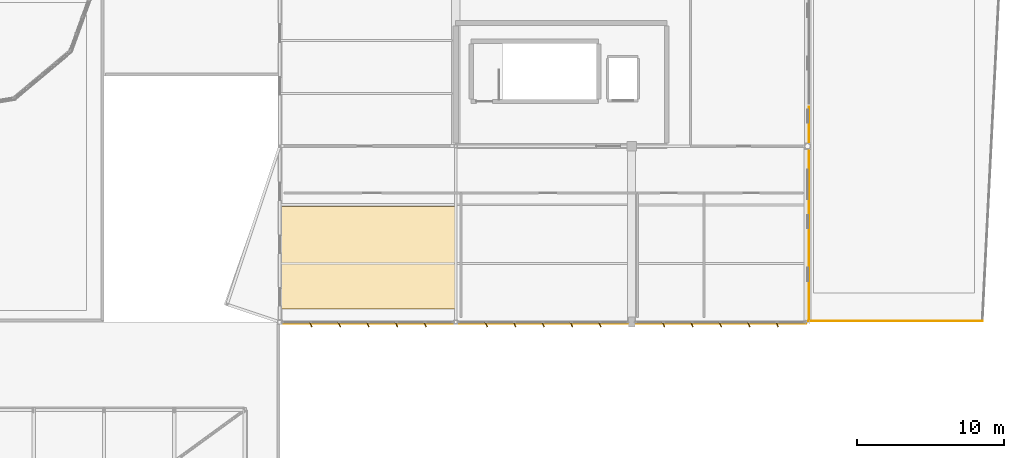
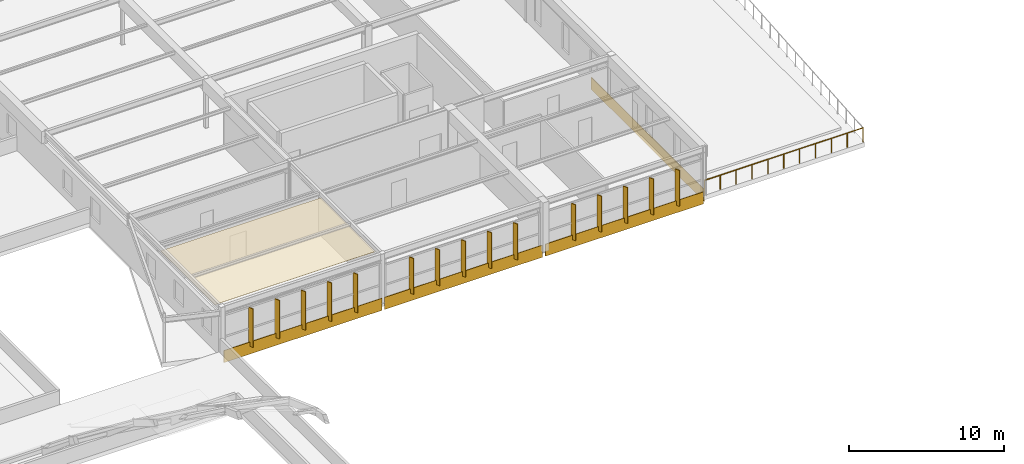
# One storey, part 125 of 128: 15 shading devices, 5 coverings, 1 railing.
"""IFC4 building model written with IfcOpenShell, lengths in metres."""

from ifc_helpers import new_model, si_unit, direction, frame, origin, origin_2d, place, context, subcontext, project, spatial, polyline, rectangle, circle, outline, extrude, material, layer, layer_set, type_object, element, save


model = new_model("IFC4")

# Units and contexts
model_context = context("Model", 3, precision=1e-05, world=origin(), true_north=direction((0.0, 1.0)))
body_context = subcontext(model_context, "Body", "Model", "MODEL_VIEW")
ifc_project = project(units=[si_unit("LENGTHUNIT", "METRE"), si_unit("AREAUNIT", "SQUARE_METRE"), si_unit("VOLUMEUNIT", "CUBIC_METRE"), si_unit("PLANEANGLEUNIT", "RADIAN"), si_unit("MASSUNIT", "GRAM", prefix="KILO")], contexts=[model_context])

# Site, building, storey
site_placement = place(None, origin())
site = spatial("IfcSite", under=ifc_project, at=site_placement, CompositionType="ELEMENT")
building_placement = place(site_placement, origin())
building = spatial("IfcBuilding", under=site, at=building_placement, Name="Tarnwether General Hospital", CompositionType="ELEMENT")
storey_placement = place(building_placement, frame((0.0, 0.0, 14.39990234375)))
storey = spatial("IfcBuildingStorey", under=building, at=storey_placement, Name="L03", CompositionType="ELEMENT", Elevation=14.39990234375)

# Coverings
ifc_material_1 = material(Name="Folded zinc-titanium cladding")
ifc_layer_1 = layer(ifc_material_1, 0.0400390625)
ifc_layer_set_1 = layer_set([ifc_layer_1], Name="Folded zinc-titanium cladding")
covering_type_1 = type_object("IfcCoveringType", Name="CV-CLD-ZNC", PredefinedType="CLADDING", material=ifc_layer_set_1)
for number, where, z_axis, x_axis, name in (
    (1, (150.0, 81.510009765625, -0.5546875), (0.0, 0.0, 1.0), (1.0, 0.0, 0.0), "Deconstructivist Faceted Zinc Spandrel Blade 051"),
    (2, (162.0, 81.510009765625, -0.5546875), (0.0, 0.0, 1.0), (1.0, 0.0, 0.0), "Deconstructivist Faceted Zinc Spandrel Blade 052"),
    (3, (174.0, 81.510009765625, -0.5546875), (0.0, 0.0, 1.0), (1.0, 0.0, 0.0), "Deconstructivist Faceted Zinc Spandrel Blade 053"),
):
    element("IfcCovering", number, at=place(storey_placement, frame(where, z_axis=z_axis, x_axis=x_axis)), inside=storey, type_object=covering_type_1, Name=name, PredefinedType="CLADDING", context=body_context, shape_type="SweptSolid", body=[
        extrude(rectangle(XDim=11.800048828125, YDim=0.0400390625, at=origin_2d()), origin(), (0.0, 0.0, 1.0), 0.949951171875),
    ])
covering_1_placement = place(storey_placement, frame((180.090087890625, 89.0, -0.5546875), z_axis=(0.0, 0.0, 1.0), x_axis=(0.0, 1.0, 0.0)))
element("IfcCovering", 4, at=covering_1_placement, inside=storey, type_object=covering_type_1, Name="Deconstructivist East Faceted Zinc Spandrel 060", PredefinedType="CLADDING", context=body_context, shape_type="SweptSolid", body=[
    extrude(rectangle(XDim=14.60009765625, YDim=0.0400390625, at=origin_2d()), origin(), (0.0, 0.0, 1.0), 0.949951171875),
])
ifc_material_2 = material(Name="Acoustic mineral fibre tile")
ifc_layer_2 = layer(ifc_material_2, 0.02490234375)
ifc_layer_set_2 = layer_set([ifc_layer_2], Name="Acoustic mineral fibre tile")
covering_type_2 = type_object("IfcCoveringType", Name="CV-CLG-ACT", PredefinedType="CEILING", material=ifc_layer_set_2)
covering_2_placement = place(storey_placement, frame((0.0, 0.0, 3.427978515625)))
element("IfcCovering", 5, at=covering_2_placement, inside=storey, type_object=covering_type_2, Name="Acoustic Clinical Ceiling 06", PredefinedType="CEILING", context=body_context, shape_type="SweptSolid", body=[
    extrude(outline(polyline([(144.0, 82.5), (156.0, 82.5), (156.0, 89.5), (144.0, 89.5), (144.0, 82.5)])), origin(), (0.0, 0.0, 1.0), 0.025146484375),
])

# Railing
ifc_material_3 = material(Name="Anodised aluminium", Category="aluminium")
railing_type = type_object("IfcRailingType", Name="RL-GRD-EXT", PredefinedType="GUARDRAIL", material=ifc_material_3)
railing_placement = place(storey_placement, frame((191.924072265625, 81.679931640625, 0.0)))
element("IfcRailing", 6, at=railing_placement, inside=storey, type_object=railing_type, Name="L03 Outpatient North-East Shard Roof Garden SL-L03-V6NTER Guard 0019", PredefinedType="GUARDRAIL", context=body_context, shape_type="SweptSolid", body=[
    extrude(circle(Radius=0.02392578125, at=origin_2d()), frame((0.0, 0.0, 1.1259765625), z_axis=(-1.0, 0.0, 0.0), x_axis=(0.0, -1.0, 0.0)), (0.0, 0.0, 1.0), 11.843994140625),
    extrude(circle(Radius=0.02099609375, at=origin_2d()), origin(), (0.0, 0.0, 1.0), 1.101806640625),
    extrude(circle(Radius=0.02099609375, at=origin_2d()), frame((-1.184326171875, 0.0, 0.0)), (0.0, 0.0, 1.0), 1.101806640625),
    extrude(circle(Radius=0.02099609375, at=origin_2d()), frame((-2.368896484375, 0.0, 0.0)), (0.0, 0.0, 1.0), 1.101806640625),
    extrude(circle(Radius=0.02099609375, at=origin_2d()), frame((-3.55322265625, 0.0, 0.0)), (0.0, 0.0, 1.0), 1.101806640625),
    extrude(circle(Radius=0.02099609375, at=origin_2d()), frame((-4.737548828125, 0.0, 0.0)), (0.0, 0.0, 1.0), 1.101806640625),
    extrude(circle(Radius=0.02099609375, at=origin_2d()), frame((-5.921875, 0.0, 0.0)), (0.0, 0.0, 1.0), 1.101806640625),
    extrude(circle(Radius=0.02099609375, at=origin_2d()), frame((-7.1064453125, 0.0, 0.0)), (0.0, 0.0, 1.0), 1.101806640625),
    extrude(circle(Radius=0.02099609375, at=origin_2d()), frame((-8.290771484375, 0.0, 0.0)), (0.0, 0.0, 1.0), 1.101806640625),
    extrude(circle(Radius=0.02099609375, at=origin_2d()), frame((-9.47509765625, 0.0, 0.0)), (0.0, 0.0, 1.0), 1.101806640625),
    extrude(circle(Radius=0.02099609375, at=origin_2d()), frame((-10.65966796875, 0.0, 0.0)), (0.0, 0.0, 1.0), 1.101806640625),
    extrude(circle(Radius=0.02099609375, at=origin_2d()), frame((-11.843994140625, 0.0, 0.0)), (0.0, 0.0, 1.0), 1.101806640625),
])

# Shading devices
ifc_material_4 = material(Name="Champagne-bronze anodised aluminium", Category="aluminium")
ifc_layer_3 = layer(ifc_material_4, 0.06005859375)
ifc_layer_set_3 = layer_set([ifc_layer_3], Name="Champagne-bronze anodised aluminium")
shading_device_type = type_object("IfcShadingDeviceType", Name="SH-FIN-BRZ", PredefinedType="USERDEFINED", material=ifc_layer_set_3)
for number, where, z_axis, x_axis, name in (
    (7, (177.924072265625, 81.43994140625, 0.050048828125), (0.0, 0.0, 1.0), (-0.906307787037, -0.422618261741, 0.0), "Champagne-Bronze Brise-Soleil Fin 0600"),
    (8, (175.986083984375, 81.43994140625, 0.050048828125), (0.0, 0.0, 1.0), (-0.906307787037, -0.422618261741, 0.0), "Champagne-Bronze Brise-Soleil Fin 0601"),
    (9, (174.048095703125, 81.43994140625, 0.050048828125), (0.0, 0.0, 1.0), (-0.906307787037, -0.422618261741, 0.0), "Champagne-Bronze Brise-Soleil Fin 0602"),
    (10, (172.10888671875, 81.43994140625, 0.050048828125), (0.0, 0.0, 1.0), (-0.906307787037, -0.422618261741, 0.0), "Champagne-Bronze Brise-Soleil Fin 0603"),
    (11, (170.1708984375, 81.43994140625, 0.050048828125), (0.0, 0.0, 1.0), (-0.906307787037, -0.422618261741, 0.0), "Champagne-Bronze Brise-Soleil Fin 0604"),
    (12, (165.830078125, 81.43994140625, 0.050048828125), (0.0, 0.0, 1.0), (-0.906307787037, -0.422618261741, 0.0), "Champagne-Bronze Brise-Soleil Fin 0605"),
    (13, (163.89306640625, 81.43994140625, 0.050048828125), (0.0, 0.0, 1.0), (-0.906307787037, -0.422618261741, 0.0), "Champagne-Bronze Brise-Soleil Fin 0606"),
    (14, (161.9560546875, 81.43994140625, 0.050048828125), (0.0, 0.0, 1.0), (-0.906307787037, -0.422618261741, 0.0), "Champagne-Bronze Brise-Soleil Fin 0607"),
    (15, (160.01904296875, 81.43994140625, 0.050048828125), (0.0, 0.0, 1.0), (-0.906307787037, -0.422618261741, 0.0), "Champagne-Bronze Brise-Soleil Fin 0608"),
    (16, (158.08203125, 81.43994140625, 0.050048828125), (0.0, 0.0, 1.0), (-0.906307787037, -0.422618261741, 0.0), "Champagne-Bronze Brise-Soleil Fin 0609"),
):
    element("IfcShadingDevice", number, at=place(storey_placement, frame(where, z_axis=z_axis, x_axis=x_axis)), inside=storey, type_object=shading_device_type, Name=name, ObjectType="SOLAR FIN", PredefinedType="USERDEFINED", context=body_context, shape_type="SweptSolid", body=[
        extrude(rectangle(XDim=0.06005859375, YDim=0.360107421875, at=origin_2d()), origin(), (0.0, 0.0, 1.0), 2.8349609375),
    ])
for number, where, z_axis, x_axis, name in (
    (17, (153.906005859375, 81.43994140625, 0.050048828125), (0.0, 0.0, 1.0), (-0.906307787037, -0.422618261741, 0.0), "Champagne-Bronze Brise-Soleil Fin 0610"),
    (18, (151.9560546875, 81.43994140625, 0.050048828125), (0.0, 0.0, 1.0), (-0.906307787037, -0.422618261741, 0.0), "Champagne-Bronze Brise-Soleil Fin 0611"),
    (19, (150.007080078125, 81.43994140625, 0.050048828125), (0.0, 0.0, 1.0), (-0.906307787037, -0.422618261741, 0.0), "Champagne-Bronze Brise-Soleil Fin 0612"),
    (20, (148.056884765625, 81.43994140625, 0.050048828125), (0.0, 0.0, 1.0), (-0.906307787037, -0.422618261741, 0.0), "Champagne-Bronze Brise-Soleil Fin 0613"),
    (21, (146.10791015625, 81.43994140625, 0.050048828125), (0.0, 0.0, 1.0), (-0.906307787037, -0.422618261741, 0.0), "Champagne-Bronze Brise-Soleil Fin 0614"),
):
    element("IfcShadingDevice", number, at=place(storey_placement, frame(where, z_axis=z_axis, x_axis=x_axis)), inside=storey, type_object=shading_device_type, Name=name, ObjectType="SOLAR FIN", PredefinedType="USERDEFINED", context=body_context, shape_type="SweptSolid", body=[
        extrude(rectangle(XDim=0.06005859375, YDim=0.360107421875, at=origin_2d()), origin(), (0.0, 0.0, 1.0), 3.0419921875),
    ])

save(model, "model.ifc")
